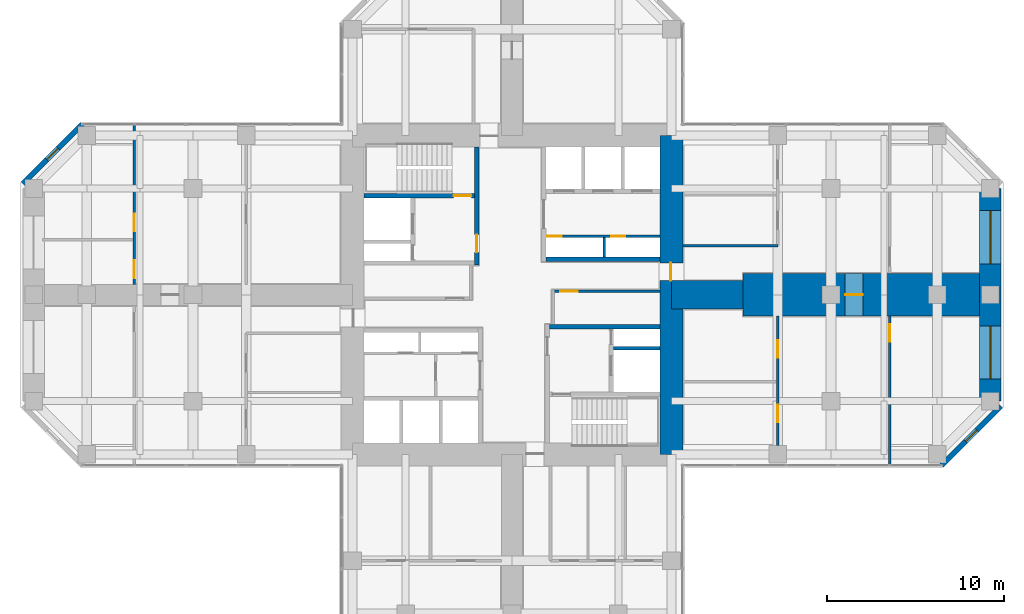
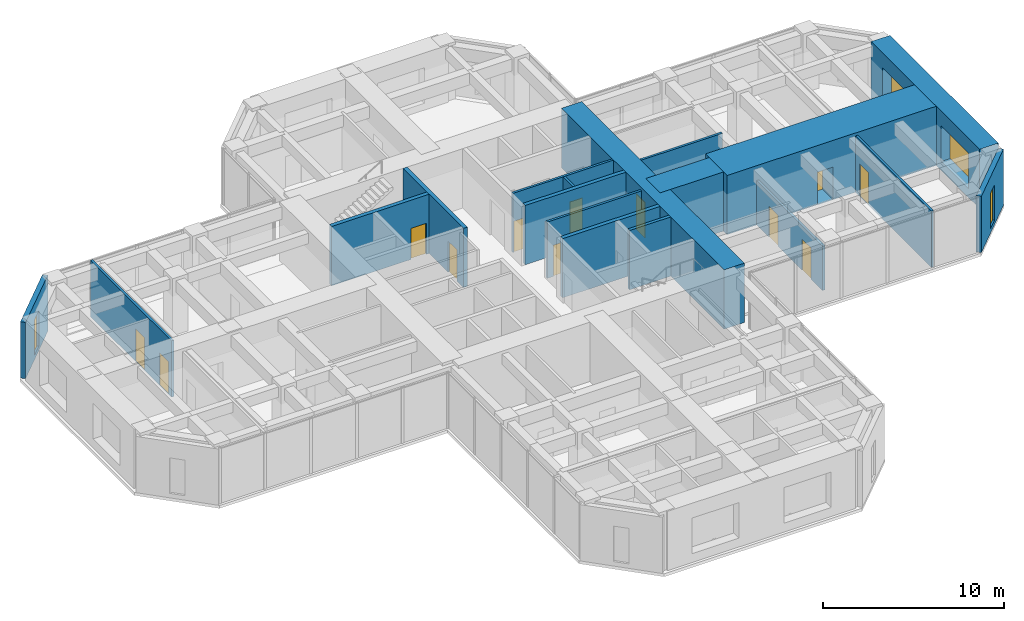
# One storey, part 10 of 13: 18 walls, 12 doors, 4 windows, 16 openings.
"""IFC4 building model written with IfcOpenShell, lengths in metres."""

from ifc_helpers import new_model, si_unit, direction, frame, frame_2d, origin, place, context, subcontext, project, spatial, rectangle, hollow_rectangle, extrude, material, layer, layer_set, constituent, constituent_set, type_object, element, fill, save


model = new_model("IFC4")

# Units and contexts
model_context = context("Model", 3, precision=1e-05, world=origin(), true_north=direction((0.0, 1.0)))
body_context = subcontext(model_context, "Body", "Model", "MODEL_VIEW")
ifc_project = project(units=[si_unit("LENGTHUNIT", "METRE"), si_unit("AREAUNIT", "SQUARE_METRE"), si_unit("VOLUMEUNIT", "CUBIC_METRE"), si_unit("PLANEANGLEUNIT", "RADIAN"), si_unit("MASSUNIT", "GRAM", prefix="KILO")], contexts=[model_context])

# Site, building, storey
site_placement = place(None, origin())
site = spatial("IfcSite", under=ifc_project, at=site_placement, CompositionType="ELEMENT")
building_placement = place(site_placement, origin())
building = spatial("IfcBuilding", under=site, at=building_placement, Name="Torre Cruceta", CompositionType="ELEMENT")
storey_placement = place(building_placement, frame((0.0, 0.0, 152.5)))
storey = spatial("IfcBuildingStorey", under=building, at=storey_placement, Name="L37", CompositionType="ELEMENT", Elevation=152.5)

# Wall
ifc_material_1 = material(Name="Concrete G60 (fck 60 MPa)", Category="concrete")
ifc_layer_1 = layer(ifc_material_1, 0.25)
ifc_layer_set_1 = layer_set([ifc_layer_1], Name="Concrete G60 (fck 60 MPa)")
wall_type_1 = type_object("IfcWallType", Name="CORE INNER WALL 250 G60", PredefinedType="SHEAR", material=ifc_layer_set_1)
wall_1_placement = place(storey_placement, frame((1.925048828125, 2.0, 0.0), z_axis=(0.0, 0.0, 1.0), x_axis=(1.0, 0.0, 0.0)))
element("IfcWall", 1, at=wall_1_placement, inside=storey, type_object=wall_type_1, Name="CW4 L37 NE-CV", PredefinedType="SHEAR", context=body_context, shape_type="SweptSolid", body=[
    extrude(rectangle(XDim=6.425048828125, YDim=0.25, at=frame_2d((3.21240234375, 0.0))), origin(), (0.0, 0.0, 1.0), 4.0),
])

# Wall, opening, door
wall_2_placement = place(storey_placement, frame((-2.0, 1.675048828125, 0.0), z_axis=(0.0, 0.0, 1.0), x_axis=(0.0, 1.0, 0.0)))
wall_2 = element("IfcWall", 2, at=wall_2_placement, inside=storey, type_object=wall_type_1, Name="CW4 L37 NW-CU", PredefinedType="SHEAR", context=body_context, shape_type="SweptSolid", body=[
    extrude(rectangle(XDim=6.675048828125, YDim=0.25, at=frame_2d((3.33740234375, 0.0))), origin(), (0.0, 0.0, 1.0), 4.0),
])
opening_1_placement = place(wall_2_placement, frame((0.72509765625, 0.0, 0.0)))
opening_1 = element("IfcOpeningElement", 3, at=opening_1_placement, cuts=wall_2, Name="Opening D3", PredefinedType="OPENING", context=body_context, shape_type="SweptSolid", body=[
    extrude(rectangle(XDim=1.0, YDim=2.10009765625, at=frame_2d((0.5, 1.050048828125))), frame((0.0, 0.135009765625, 0.0), z_axis=(0.0, -1.0, 0.0), x_axis=(1.0, 0.0, 0.0)), (0.0, 0.0, 1.0), 0.27001953125),
])
ifc_material_2 = material(Name="Steel DX51D", Category="steel")
ifc_constituent_1 = constituent(ifc_material_2, Name="Leaf and frame")
ifc_material_3 = material(Name="Polyester powder coating", Category="paint")
ifc_constituent_2 = constituent(ifc_material_3, Name="Finish")
ifc_constituent_set_1 = constituent_set(constituents=[ifc_constituent_1, ifc_constituent_2], Name="Steel fire door")
door_type_1 = type_object("IfcDoorType", Name="FIRE DOOR 1000X2100", OperationType="SINGLE_SWING_LEFT", PredefinedType="DOOR", material=ifc_constituent_set_1)
door_1_placement = place(opening_1_placement, origin())
door_1 = element("IfcDoor", 4, at=door_1_placement, inside=storey, type_object=door_type_1, Name="D3 L37 NW-LOBBY", OperationType="SINGLE_SWING_LEFT", OverallHeight=2.10009765625, OverallWidth=1.0, PredefinedType="DOOR", context=body_context, shape_type="SweptSolid", body=[
    extrude(rectangle(XDim=1.0, YDim=2.10009765625, at=frame_2d((0.5, 1.050048828125))), frame((0.0, 0.02490234375, 0.0), z_axis=(0.0, -1.0, 0.0), x_axis=(1.0, 0.0, 0.0)), (0.0, 0.0, 1.0), 0.050048828125),
])
fill(opening_1, door_1)

wall_3_placement = place(storey_placement, frame((-2.125, 5.60009765625, 0.0), z_axis=(0.0, 0.0, 1.0), x_axis=(-1.0, 0.0, 0.0)))
wall_3 = element("IfcWall", 5, at=wall_3_placement, inside=storey, type_object=wall_type_1, Name="CW4 L37 NW-SV", PredefinedType="SHEAR", context=body_context, shape_type="SweptSolid", body=[
    extrude(rectangle(XDim=6.22509765625, YDim=0.25, at=frame_2d((3.112548828125, 0.0))), origin(), (0.0, 0.0, 1.0), 4.0),
])
opening_2_placement = place(wall_3_placement, frame((0.175048828125, 0.0, 0.0)))
opening_2 = element("IfcOpeningElement", 6, at=opening_2_placement, cuts=wall_3, Name="Opening D3", PredefinedType="OPENING", context=body_context, shape_type="SweptSolid", body=[
    extrude(rectangle(XDim=1.0, YDim=2.10009765625, at=frame_2d((0.5, 1.050048828125))), frame((0.0, 0.135009765625, 0.0), z_axis=(0.0, -1.0, 0.0), x_axis=(1.0, 0.0, 0.0)), (0.0, 0.0, 1.0), 0.27001953125),
])
door_2_placement = place(opening_2_placement, frame((1.0, 0.0, 0.0), z_axis=(0.0, 0.0, 1.0), x_axis=(-1.0, 0.0, 0.0)))
door_2 = element("IfcDoor", 7, at=door_2_placement, inside=storey, type_object=door_type_1, Name="D3 L37 NW-STAIR", OperationType="SINGLE_SWING_RIGHT", OverallHeight=2.10009765625, OverallWidth=1.0, PredefinedType="DOOR", context=body_context, shape_type="SweptSolid", body=[
    extrude(rectangle(XDim=1.0, YDim=2.10009765625, at=frame_2d((0.5, 1.050048828125))), frame((0.0, 0.025146484375, 0.0), z_axis=(0.0, -1.0, 0.0), x_axis=(1.0, 0.0, 0.0)), (0.0, 0.0, 1.0), 0.050048828125),
])
fill(opening_2, door_2)

# Wall
wall_4_placement = place(storey_placement, frame((2.125, -1.800048828125, 0.0), z_axis=(0.0, 0.0, 1.0), x_axis=(1.0, 0.0, 0.0)))
element("IfcWall", 8, at=wall_4_placement, inside=storey, type_object=wall_type_1, Name="CW4 L37 SE-CV", PredefinedType="SHEAR", context=body_context, shape_type="SweptSolid", body=[
    extrude(rectangle(XDim=6.22509765625, YDim=0.25, at=frame_2d((3.112548828125, 0.0))), origin(), (0.0, 0.0, 1.0), 4.0),
])

# Wall, opening, door
ifc_material_4 = material(Name="Concrete G60 (fck 60 MPa)", Category="concrete")
ifc_layer_2 = layer(ifc_material_4, 1.300048828125)
ifc_layer_set_2 = layer_set([ifc_layer_2], Name="Concrete G60 (fck 60 MPa)")
wall_type_2 = type_object("IfcWallType", Name="CORE WALL 1300 G60", PredefinedType="SHEAR", material=ifc_layer_set_2)
wall_5_placement = place(storey_placement, frame((9.0, -9.0, 0.0), z_axis=(0.0, 0.0, 1.0), x_axis=(0.0, 1.0, 0.0)))
wall_5 = element("IfcWall", 9, at=wall_5_placement, inside=storey, type_object=wall_type_2, Name="CW1 L37 CW-E", PredefinedType="SHEAR", context=body_context, shape_type="SweptSolid", body=[
    extrude(rectangle(XDim=18.0, YDim=1.300048828125, at=frame_2d((9.0, 0.0))), origin(), (0.0, 0.0, 1.0), 4.0),
])
opening_3_placement = place(wall_5_placement, frame((9.800048828125, 0.0, 0.0)))
opening_3 = element("IfcOpeningElement", 10, at=opening_3_placement, cuts=wall_5, Name="Opening D4", PredefinedType="OPENING", context=body_context, shape_type="SweptSolid", body=[
    extrude(rectangle(XDim=1.0, YDim=2.39990234375, at=frame_2d((0.5, 1.199951171875))), frame((0.0, 0.659912109375, 0.0), z_axis=(0.0, -1.0, 0.0), x_axis=(1.0, 0.0, 0.0)), (0.0, 0.0, 1.0), 1.320068359375),
])
ifc_material_5 = material(Name="Steel DX51D", Category="steel")
ifc_constituent_3 = constituent(ifc_material_5, Name="Leaf and frame")
ifc_material_6 = material(Name="Polyester powder coating", Category="paint")
ifc_constituent_4 = constituent(ifc_material_6, Name="Finish")
ifc_constituent_set_2 = constituent_set(constituents=[ifc_constituent_3, ifc_constituent_4], Name="Steel fire door")
door_type_2 = type_object("IfcDoorType", Name="CORE ARM DOOR 1000X2400", OperationType="SINGLE_SWING_RIGHT", PredefinedType="DOOR", material=ifc_constituent_set_2)
door_3_placement = place(opening_3_placement, frame((1.0, 0.0, 0.0), z_axis=(0.0, 0.0, 1.0), x_axis=(-1.0, 0.0, 0.0)))
door_3 = element("IfcDoor", 11, at=door_3_placement, inside=storey, type_object=door_type_2, Name="D4 L37 CW-E", OperationType="SINGLE_SWING_RIGHT", OverallHeight=2.39990234375, OverallWidth=1.0, PredefinedType="DOOR", context=body_context, shape_type="SweptSolid", body=[
    extrude(rectangle(XDim=1.0, YDim=2.39990234375, at=frame_2d((0.5, 1.199951171875))), frame((0.0, -0.005126953125, 0.0), z_axis=(0.0, -1.0, 0.0), x_axis=(1.0, 0.0, 0.0)), (0.0, 0.0, 1.0), 0.050048828125),
])
fill(opening_3, door_3)

# Wall, opening, window
ifc_material_7 = material(Name="Concrete G30 (fck 30 MPa)", Category="concrete")
ifc_layer_3 = layer(ifc_material_7, 0.300048828125)
ifc_layer_set_3 = layer_set([ifc_layer_3], Name="Concrete G30 (fck 30 MPa)")
wall_type_3 = type_object("IfcWallType", Name="EXPOSED CONCRETE FACADE WALL 300", PredefinedType="SOLIDWALL", material=ifc_layer_set_3)
wall_6_placement = place(storey_placement, frame((24.2568359375, -9.6201171875, 0.0), z_axis=(0.0, 0.0, 1.0), x_axis=(0.707106781187, 0.707106781187, 0.0)))
wall_6 = element("IfcWall", 12, at=wall_6_placement, inside=storey, type_object=wall_type_3, Name="EW1 facade wall L37 E chamfer 01", PredefinedType="SOLIDWALL", context=body_context, shape_type="SweptSolid", body=[
    extrude(rectangle(XDim=4.72802734375, YDim=0.300048828125, at=frame_2d((2.364013671875, 0.0))), origin(), (0.0, 0.0, 1.0), 3.800048828125),
])
opening_4_placement = place(wall_6_placement, frame((1.9140625, 0.0, 0.300048828125)))
opening_4 = element("IfcOpeningElement", 13, at=opening_4_placement, cuts=wall_6, Name="Opening WN5", PredefinedType="OPENING", context=body_context, shape_type="SweptSolid", body=[
    extrude(rectangle(XDim=0.89990234375, YDim=2.39990234375, at=frame_2d((0.449951171875, 1.199951171875))), frame((0.0, 0.159912109375, 0.0), z_axis=(0.0, -1.0, 0.0), x_axis=(1.0, 0.0, 0.0)), (0.0, 0.0, 1.0), 0.320068359375),
])
ifc_material_8 = material(Name="Aluminium window frame", Category="aluminium")
ifc_constituent_5 = constituent(ifc_material_8, Name="Frame")
ifc_material_9 = material(Name="Laminated insulating glass unit, low-iron clear", Category="glass")
ifc_constituent_6 = constituent(ifc_material_9, Name="Glazing")
ifc_constituent_set_3 = constituent_set(constituents=[ifc_constituent_5, ifc_constituent_6], Name="Aluminium window")
window_type_1 = type_object("IfcWindowType", Name="CHAMFER SLOT WINDOW 900X2400", PartitioningType="SINGLE_PANEL", PredefinedType="WINDOW", material=ifc_constituent_set_3)
window_1_placement = place(opening_4_placement, origin())
window_1 = element("IfcWindow", 14, at=window_1_placement, inside=storey, type_object=window_type_1, Name="WN5 L37 E 1", OverallHeight=2.39990234375, OverallWidth=0.89990234375, PartitioningType="SINGLE_PANEL", PredefinedType="WINDOW", context=body_context, shape_type="SweptSolid", body=[
    extrude(hollow_rectangle(XDim=0.89990234375, YDim=2.39990234375, WallThickness=0.06005859375, at=frame_2d((0.449951171875, 1.199951171875))), frame((0.0, 0.030029296875, 0.0), z_axis=(0.0, -1.0, 0.0), x_axis=(1.0, 0.0, 0.0)), (0.0, 0.0, 1.0), 0.06005859375),
    extrude(rectangle(XDim=0.77880859375, YDim=2.27880859375, at=frame_2d((0.449951171875, 1.199951171875))), frame((0.0, 0.030029296875, 0.0), z_axis=(0.0, -1.0, 0.0), x_axis=(1.0, 0.0, 0.0)), (0.0, 0.0, 1.0), 0.06005859375),
])
fill(opening_4, window_1)

wall_7_placement = place(storey_placement, frame((-24.2568359375, 9.6201171875, 0.0), z_axis=(0.0, 0.0, 1.0), x_axis=(-0.707106781187, -0.707106781187, 0.0)))
wall_7 = element("IfcWall", 15, at=wall_7_placement, inside=storey, type_object=wall_type_3, Name="EW1 facade wall L37 W chamfer 11", PredefinedType="SOLIDWALL", context=body_context, shape_type="SweptSolid", body=[
    extrude(rectangle(XDim=4.72802734375, YDim=0.300048828125, at=frame_2d((2.364013671875, 0.0))), origin(), (0.0, 0.0, 1.0), 3.800048828125),
])
opening_5_placement = place(wall_7_placement, frame((1.9140625, 0.0, 0.300048828125)))
opening_5 = element("IfcOpeningElement", 16, at=opening_5_placement, cuts=wall_7, Name="Opening WN5", PredefinedType="OPENING", context=body_context, shape_type="SweptSolid", body=[
    extrude(rectangle(XDim=0.89990234375, YDim=2.39990234375, at=frame_2d((0.449951171875, 1.199951171875))), frame((0.0, 0.159912109375, 0.0), z_axis=(0.0, -1.0, 0.0), x_axis=(1.0, 0.0, 0.0)), (0.0, 0.0, 1.0), 0.320068359375),
])
window_2_placement = place(opening_5_placement, origin())
window_2 = element("IfcWindow", 17, at=window_2_placement, inside=storey, type_object=window_type_1, Name="WN5 L37 W 1", OverallHeight=2.39990234375, OverallWidth=0.89990234375, PartitioningType="SINGLE_PANEL", PredefinedType="WINDOW", context=body_context, shape_type="SweptSolid", body=[
    extrude(hollow_rectangle(XDim=0.89990234375, YDim=2.39990234375, WallThickness=0.06005859375, at=frame_2d((0.449951171875, 1.199951171875))), frame((0.0, 0.030029296875, 0.0), z_axis=(0.0, -1.0, 0.0), x_axis=(1.0, 0.0, 0.0)), (0.0, 0.0, 1.0), 0.06005859375),
    extrude(rectangle(XDim=0.77880859375, YDim=2.27880859375, at=frame_2d((0.449951171875, 1.199951171875))), frame((0.0, 0.030029296875, 0.0), z_axis=(0.0, -1.0, 0.0), x_axis=(1.0, 0.0, 0.0)), (0.0, 0.0, 1.0), 0.06005859375),
])
fill(opening_5, window_2)

# Wall
ifc_material_10 = material(Name="Concrete G35 (fck 35 MPa)", Category="concrete")
ifc_layer_4 = layer(ifc_material_10, 0.199951171875)
ifc_layer_set_4 = layer_set([ifc_layer_4], Name="Concrete G35 (fck 35 MPa)")
wall_type_4 = type_object("IfcWallType", Name="LIFT SHAFT WALL 200", PredefinedType="PARTITIONING", material=ifc_layer_set_4)
wall_8_placement = place(storey_placement, frame((5.72509765625, -3.0, 0.0), z_axis=(0.0, 0.0, 1.0), x_axis=(1.0, 0.0, 0.0)))
element("IfcWall", 18, at=wall_8_placement, inside=storey, type_object=wall_type_4, Name="SW1 L37 SE-FR", PredefinedType="PARTITIONING", context=body_context, shape_type="SweptSolid", body=[
    extrude(rectangle(XDim=2.625, YDim=0.199951171875, at=frame_2d((1.3125, 0.0))), origin(), (0.0, 0.0, 1.0), 4.0),
])

# Wall, openings, windows
ifc_material_11 = material(Name="Concrete G60 (fck 60 MPa)", Category="concrete")
ifc_layer_5 = layer(ifc_material_11, 1.199951171875)
ifc_layer_set_5 = layer_set([ifc_layer_5], Name="Concrete G60 (fck 60 MPa)")
wall_type_5 = type_object("IfcWallType", Name="NOSE WALL 1200 G60", PredefinedType="SHEAR", material=ifc_layer_set_5)
wall_9_placement = place(storey_placement, frame((27.0, -6.0, 0.0), z_axis=(0.0, 0.0, 1.0), x_axis=(0.0, 1.0, 0.0)))
wall_9 = element("IfcWall", 19, at=wall_9_placement, inside=storey, type_object=wall_type_5, Name="NW1 nose wall L37 E", PredefinedType="SHEAR", context=body_context, shape_type="SweptSolid", body=[
    extrude(rectangle(XDim=12.0, YDim=1.199951171875, at=frame_2d((6.0, 0.0))), origin(), (0.0, 0.0, 1.0), 4.0),
])
opening_6_placement = place(wall_9_placement, frame((1.25, 0.0, 0.60009765625)))
opening_6 = element("IfcOpeningElement", 20, at=opening_6_placement, cuts=wall_9, Name="Opening WN6", PredefinedType="OPENING", context=body_context, shape_type="SweptSolid", body=[
    extrude(rectangle(XDim=3.0, YDim=2.39990234375, at=frame_2d((1.5, 1.199951171875))), frame((0.0, 0.60986328125, 0.0), z_axis=(0.0, -1.0, 0.0), x_axis=(1.0, 0.0, 0.0)), (0.0, 0.0, 1.0), 1.219970703125),
])
opening_7_placement = place(wall_9_placement, frame((7.75, 0.0, 0.60009765625)))
opening_7 = element("IfcOpeningElement", 21, at=opening_7_placement, cuts=wall_9, Name="Opening WN6", PredefinedType="OPENING", context=body_context, shape_type="SweptSolid", body=[
    extrude(rectangle(XDim=3.0, YDim=2.39990234375, at=frame_2d((1.5, 1.199951171875))), frame((0.0, 0.60986328125, 0.0), z_axis=(0.0, -1.0, 0.0), x_axis=(1.0, 0.0, 0.0)), (0.0, 0.0, 1.0), 1.219970703125),
])
ifc_material_12 = material(Name="Aluminium window frame", Category="aluminium")
ifc_constituent_7 = constituent(ifc_material_12, Name="Frame")
ifc_material_13 = material(Name="Laminated insulating glass unit, low-iron clear", Category="glass")
ifc_constituent_8 = constituent(ifc_material_13, Name="Glazing")
ifc_constituent_set_4 = constituent_set(constituents=[ifc_constituent_7, ifc_constituent_8], Name="Aluminium window")
window_type_2 = type_object("IfcWindowType", Name="NOSE WALL WINDOW 3000X2400", PartitioningType="SINGLE_PANEL", PredefinedType="WINDOW", material=ifc_constituent_set_4)
window_3_placement = place(opening_6_placement, origin())
window_3 = element("IfcWindow", 22, at=window_3_placement, inside=storey, type_object=window_type_2, Name="WN6 L37 E 1", OverallHeight=2.39990234375, OverallWidth=3.0, PartitioningType="SINGLE_PANEL", PredefinedType="WINDOW", context=body_context, shape_type="SweptSolid", body=[
    extrude(hollow_rectangle(XDim=3.0, YDim=2.39990234375, WallThickness=0.06005859375, at=frame_2d((1.5, 1.199951171875))), frame((0.0, 0.030029296875, 0.0), z_axis=(0.0, -1.0, 0.0), x_axis=(1.0, 0.0, 0.0)), (0.0, 0.0, 1.0), 0.06005859375),
    extrude(rectangle(XDim=2.87890625, YDim=2.27880859375, at=frame_2d((1.5, 1.199951171875))), frame((0.0, 0.030029296875, 0.0), z_axis=(0.0, -1.0, 0.0), x_axis=(1.0, 0.0, 0.0)), (0.0, 0.0, 1.0), 0.06005859375),
])
fill(opening_6, window_3)
window_4_placement = place(opening_7_placement, origin())
window_4 = element("IfcWindow", 23, at=window_4_placement, inside=storey, type_object=window_type_2, Name="WN6 L37 E 2", OverallHeight=2.39990234375, OverallWidth=3.0, PartitioningType="SINGLE_PANEL", PredefinedType="WINDOW", context=body_context, shape_type="SweptSolid", body=[
    extrude(hollow_rectangle(XDim=3.0, YDim=2.39990234375, WallThickness=0.06005859375, at=frame_2d((1.5, 1.199951171875))), frame((0.0, 0.030029296875, 0.0), z_axis=(0.0, -1.0, 0.0), x_axis=(1.0, 0.0, 0.0)), (0.0, 0.0, 1.0), 0.06005859375),
    extrude(rectangle(XDim=2.87890625, YDim=2.27880859375, at=frame_2d((1.5, 1.199951171875))), frame((0.0, 0.030029296875, 0.0), z_axis=(0.0, -1.0, 0.0), x_axis=(1.0, 0.0, 0.0)), (0.0, 0.0, 1.0), 0.06005859375),
])
fill(opening_7, window_4)

# Wall, opening, door
ifc_material_14 = material(Name="Plasterboard on steel studs", Category="steel")
ifc_layer_6 = layer(ifc_material_14, 0.14990234375)
ifc_layer_set_6 = layer_set([ifc_layer_6], Name="Plasterboard on steel studs")
wall_type_6 = type_object("IfcWallType", Name="PARTITION 150", PredefinedType="PARTITIONING", material=ifc_layer_set_6)
wall_10_placement = place(storey_placement, frame((2.324951171875, 0.199951171875, 0.0), z_axis=(0.0, 0.0, 1.0), x_axis=(1.0, 0.0, 0.0)))
wall_10 = element("IfcWall", 24, at=wall_10_placement, inside=storey, type_object=wall_type_6, Name="PT1 L37-CORE-LEGE-S-W1", PredefinedType="PARTITIONING", context=body_context, shape_type="SweptSolid", body=[
    extrude(rectangle(XDim=6.025146484375, YDim=0.14990234375, at=frame_2d((3.0126953125, 0.0))), origin(), (0.0, 0.0, 1.0), 3.800048828125),
])
opening_8_placement = place(wall_10_placement, frame((0.39990234375, 0.0, 0.0)))
opening_8 = element("IfcOpeningElement", 25, at=opening_8_placement, cuts=wall_10, Name="Opening D3", PredefinedType="OPENING", context=body_context, shape_type="SweptSolid", body=[
    extrude(rectangle(XDim=1.0, YDim=2.10009765625, at=frame_2d((0.5, 1.050048828125))), frame((0.0, 0.0849609375, 0.0), z_axis=(0.0, -1.0, 0.0), x_axis=(1.0, 0.0, 0.0)), (0.0, 0.0, 1.0), 0.169921875),
])
door_4_placement = place(opening_8_placement, frame((1.0, 0.0, 0.0), z_axis=(0.0, 0.0, 1.0), x_axis=(-1.0, 0.0, 0.0)))
door_4 = element("IfcDoor", 26, at=door_4_placement, inside=storey, type_object=door_type_1, Name="D3 L37-CORE-LEGE-S-W1-D1", OperationType="SINGLE_SWING_RIGHT", OverallHeight=2.10009765625, OverallWidth=1.0, PredefinedType="DOOR", context=body_context, shape_type="SweptSolid", body=[
    extrude(rectangle(XDim=1.0, YDim=2.10009765625, at=frame_2d((0.5, 1.050048828125))), frame((0.0, 0.025146484375, 0.0), z_axis=(0.0, -1.0, 0.0), x_axis=(1.0, 0.0, 0.0)), (0.0, 0.0, 1.0), 0.050048828125),
])
fill(opening_8, door_4)

# Wall
wall_11_placement = place(storey_placement, frame((9.64990234375, 2.77490234375, 0.0), z_axis=(0.0, 0.0, 1.0), x_axis=(1.0, 0.0, 0.0)))
element("IfcWall", 27, at=wall_11_placement, inside=storey, type_object=wall_type_6, Name="PT1 L37-E-BSL", PredefinedType="PARTITIONING", context=body_context, shape_type="SweptSolid", body=[
    extrude(rectangle(XDim=5.35009765625, YDim=0.14990234375, at=frame_2d((2.675048828125, 0.0))), origin(), (0.0, 0.0, 1.0), 3.800048828125),
])

# Wall, openings, doors
wall_12_placement = place(storey_placement, frame((15.0, -8.5, 0.0), z_axis=(0.0, 0.0, 1.0), x_axis=(0.0, 1.0, 0.0)))
wall_12 = element("IfcWall", 28, at=wall_12_placement, inside=storey, type_object=wall_type_6, Name="PT1 L37-E-BFR", PredefinedType="PARTITIONING", context=body_context, shape_type="SweptSolid", body=[
    extrude(rectangle(XDim=7.300048828125, YDim=0.14990234375, at=frame_2d((3.64990234375, 0.0))), origin(), (0.0, 0.0, 1.0), 3.0),
])
opening_9_placement = place(wall_12_placement, frame((1.300048828125, 0.0, 0.0)))
opening_9 = element("IfcOpeningElement", 29, at=opening_9_placement, cuts=wall_12, Name="Opening D3", PredefinedType="OPENING", context=body_context, shape_type="SweptSolid", body=[
    extrude(rectangle(XDim=1.0, YDim=2.10009765625, at=frame_2d((0.5, 1.050048828125))), frame((0.0, 0.0849609375, 0.0), z_axis=(0.0, -1.0, 0.0), x_axis=(1.0, 0.0, 0.0)), (0.0, 0.0, 1.0), 0.169921875),
])
opening_10_placement = place(wall_12_placement, frame((4.949951171875, 0.0, 0.0)))
opening_10 = element("IfcOpeningElement", 30, at=opening_10_placement, cuts=wall_12, Name="Opening D3", PredefinedType="OPENING", context=body_context, shape_type="SweptSolid", body=[
    extrude(rectangle(XDim=1.0, YDim=2.10009765625, at=frame_2d((0.5, 1.050048828125))), frame((0.0, 0.0849609375, 0.0), z_axis=(0.0, -1.0, 0.0), x_axis=(1.0, 0.0, 0.0)), (0.0, 0.0, 1.0), 0.169921875),
])
door_5_placement = place(opening_9_placement, origin())
door_5 = element("IfcDoor", 31, at=door_5_placement, inside=storey, type_object=door_type_1, Name="D3 L37-E-BFR-D1", OperationType="SINGLE_SWING_RIGHT", OverallHeight=2.10009765625, OverallWidth=1.0, PredefinedType="DOOR", context=body_context, shape_type="SweptSolid", body=[
    extrude(rectangle(XDim=1.0, YDim=2.10009765625, at=frame_2d((0.5, 1.050048828125))), frame((0.0, 0.02490234375, 0.0), z_axis=(0.0, -1.0, 0.0), x_axis=(1.0, 0.0, 0.0)), (0.0, 0.0, 1.0), 0.050048828125),
])
fill(opening_9, door_5)
door_6_placement = place(opening_10_placement, origin())
door_6 = element("IfcDoor", 32, at=door_6_placement, inside=storey, type_object=door_type_1, Name="D3 L37-E-BFR-D2", OperationType="SINGLE_SWING_LEFT", OverallHeight=2.10009765625, OverallWidth=1.0, PredefinedType="DOOR", context=body_context, shape_type="SweptSolid", body=[
    extrude(rectangle(XDim=1.0, YDim=2.10009765625, at=frame_2d((0.5, 1.050048828125))), frame((0.0, 0.02490234375, 0.0), z_axis=(0.0, -1.0, 0.0), x_axis=(1.0, 0.0, 0.0)), (0.0, 0.0, 1.0), 0.050048828125),
])
fill(opening_10, door_6)

# Wall, opening, door
wall_13_placement = place(storey_placement, frame((21.320068359375, -9.580078125, 0.0), z_axis=(0.0, 0.0, 1.0), x_axis=(0.0, 1.0, 0.0)))
wall_13 = element("IfcWall", 33, at=wall_13_placement, inside=storey, type_object=wall_type_6, Name="PT1 L37-E-TWR", PredefinedType="PARTITIONING", context=body_context, shape_type="SweptSolid", body=[
    extrude(rectangle(XDim=8.380126953125, YDim=0.14990234375, at=frame_2d((4.18994140625, 0.0))), origin(), (0.0, 0.0, 1.0), 3.800048828125),
])
opening_11_placement = place(wall_13_placement, frame((6.929931640625, 0.0, 0.0)))
opening_11 = element("IfcOpeningElement", 34, at=opening_11_placement, cuts=wall_13, Name="Opening D14", PredefinedType="OPENING", context=body_context, shape_type="SweptSolid", body=[
    extrude(rectangle(XDim=1.0, YDim=2.199951171875, at=frame_2d((0.5, 1.10009765625))), frame((0.0, 0.0849609375, 0.0), z_axis=(0.0, -1.0, 0.0), x_axis=(1.0, 0.0, 0.0)), (0.0, 0.0, 1.0), 0.169921875),
])
ifc_material_15 = material(Name="Steel DX51D", Category="steel")
ifc_constituent_9 = constituent(ifc_material_15, Name="Leaf and frame")
ifc_material_16 = material(Name="Polyester powder coating", Category="paint")
ifc_constituent_10 = constituent(ifc_material_16, Name="Finish")
ifc_material_17 = material(Name="Fire-resisting glass", Category="glass")
ifc_constituent_11 = constituent(ifc_material_17, Name="Vision panel")
ifc_constituent_set_5 = constituent_set(constituents=[ifc_constituent_9, ifc_constituent_10, ifc_constituent_11], Name="Steel fire door with vision panel")
door_type_3 = type_object("IfcDoorType", Name="FIRE DOOR VISION PANEL 1000X2200", OperationType="SINGLE_SWING_RIGHT", PredefinedType="DOOR", material=ifc_constituent_set_5)
door_7_placement = place(opening_11_placement, frame((1.0, 0.0, 0.0), z_axis=(0.0, 0.0, 1.0), x_axis=(-1.0, 0.0, 0.0)))
door_7 = element("IfcDoor", 35, at=door_7_placement, inside=storey, type_object=door_type_3, Name="D14 L37-E-TWR-D1", OperationType="SINGLE_SWING_LEFT", OverallHeight=2.199951171875, OverallWidth=1.0, PredefinedType="DOOR", context=body_context, shape_type="SweptSolid", body=[
    extrude(rectangle(XDim=1.0, YDim=2.199951171875, at=frame_2d((0.5, 1.10009765625))), frame((0.0, 0.025146484375, 0.0), z_axis=(0.0, -1.0, 0.0), x_axis=(1.0, 0.0, 0.0)), (0.0, 0.0, 1.0), 0.050048828125),
])
fill(opening_11, door_7)

# Wall, openings, doors
wall_14_placement = place(storey_placement, frame((-21.320068359375, 9.580078125, 0.0), z_axis=(0.0, 0.0, 1.0), x_axis=(0.0, -1.0, 0.0)))
wall_14 = element("IfcWall", 36, at=wall_14_placement, inside=storey, type_object=wall_type_6, Name="PT1 L37-W-TWR", PredefinedType="PARTITIONING", context=body_context, shape_type="SweptSolid", body=[
    extrude(rectangle(XDim=8.97998046875, YDim=0.14990234375, at=frame_2d((4.489990234375, 0.0))), origin(), (0.0, 0.0, 1.0), 3.800048828125),
])
opening_12_placement = place(wall_14_placement, frame((4.987060546875, 0.0, 0.0)))
opening_12 = element("IfcOpeningElement", 37, at=opening_12_placement, cuts=wall_14, Name="Opening D14", PredefinedType="OPENING", context=body_context, shape_type="SweptSolid", body=[
    extrude(rectangle(XDim=1.0, YDim=2.199951171875, at=frame_2d((0.5, 1.10009765625))), frame((0.0, 0.0849609375, 0.0), z_axis=(0.0, -1.0, 0.0), x_axis=(1.0, 0.0, 0.0)), (0.0, 0.0, 1.0), 0.169921875),
])
opening_13_placement = place(wall_14_placement, frame((7.6298828125, 0.0, 0.0)))
opening_13 = element("IfcOpeningElement", 38, at=opening_13_placement, cuts=wall_14, Name="Opening D14", PredefinedType="OPENING", context=body_context, shape_type="SweptSolid", body=[
    extrude(rectangle(XDim=1.0, YDim=2.199951171875, at=frame_2d((0.5, 1.10009765625))), frame((0.0, 0.0849609375, 0.0), z_axis=(0.0, -1.0, 0.0), x_axis=(1.0, 0.0, 0.0)), (0.0, 0.0, 1.0), 0.169921875),
])
door_8_placement = place(opening_12_placement, frame((1.0, 0.0, 0.0), z_axis=(0.0, 0.0, 1.0), x_axis=(-1.0, 0.0, 0.0)))
door_8 = element("IfcDoor", 39, at=door_8_placement, inside=storey, type_object=door_type_3, Name="D14 L37-W-TWR-D1", OperationType="SINGLE_SWING_LEFT", OverallHeight=2.199951171875, OverallWidth=1.0, PredefinedType="DOOR", context=body_context, shape_type="SweptSolid", body=[
    extrude(rectangle(XDim=1.0, YDim=2.199951171875, at=frame_2d((0.5, 1.10009765625))), frame((0.0, 0.025146484375, 0.0), z_axis=(0.0, -1.0, 0.0), x_axis=(1.0, 0.0, 0.0)), (0.0, 0.0, 1.0), 0.050048828125),
])
fill(opening_12, door_8)
door_9_placement = place(opening_13_placement, frame((1.0, 0.0, 0.0), z_axis=(0.0, 0.0, 1.0), x_axis=(-1.0, 0.0, 0.0)))
door_9 = element("IfcDoor", 40, at=door_9_placement, inside=storey, type_object=door_type_3, Name="D14 L37-W-TWR-D2", OperationType="SINGLE_SWING_LEFT", OverallHeight=2.199951171875, OverallWidth=1.0, PredefinedType="DOOR", context=body_context, shape_type="SweptSolid", body=[
    extrude(rectangle(XDim=1.0, YDim=2.199951171875, at=frame_2d((0.5, 1.10009765625))), frame((0.0, 0.025146484375, 0.0), z_axis=(0.0, -1.0, 0.0), x_axis=(1.0, 0.0, 0.0)), (0.0, 0.0, 1.0), 0.050048828125),
])
fill(opening_13, door_9)

ifc_material_18 = material(Name="Concrete block masonry", Category="masonry")
ifc_layer_7 = layer(ifc_material_18, 0.14990234375)
ifc_layer_set_7 = layer_set([ifc_layer_7], Name="Concrete block masonry")
wall_type_7 = type_object("IfcWallType", Name="RISER WALL 150", PredefinedType="PARTITIONING", material=ifc_layer_set_7)
wall_15_placement = place(storey_placement, frame((1.925048828125, 3.300048828125, 0.0), z_axis=(0.0, 0.0, 1.0), x_axis=(1.0, 0.0, 0.0)))
wall_15 = element("IfcWall", 41, at=wall_15_placement, inside=storey, type_object=wall_type_7, Name="SW7 L37 NE-RV", PredefinedType="PARTITIONING", context=body_context, shape_type="SweptSolid", body=[
    extrude(rectangle(XDim=6.425048828125, YDim=0.14990234375, at=frame_2d((3.21240234375, 0.0))), origin(), (0.0, 0.0, 1.0), 4.0),
])
opening_14_placement = place(wall_15_placement, frame((0.074951171875, 0.0, 0.0)))
opening_14 = element("IfcOpeningElement", 42, at=opening_14_placement, cuts=wall_15, Name="Opening D5", PredefinedType="OPENING", context=body_context, shape_type="SweptSolid", body=[
    extrude(rectangle(XDim=0.800048828125, YDim=2.10009765625, at=frame_2d((0.39990234375, 1.050048828125))), frame((0.0, 0.0849609375, 0.0), z_axis=(0.0, -1.0, 0.0), x_axis=(1.0, 0.0, 0.0)), (0.0, 0.0, 1.0), 0.169921875),
])
opening_15_placement = place(wall_15_placement, frame((3.675048828125, 0.0, 0.0)))
opening_15 = element("IfcOpeningElement", 43, at=opening_15_placement, cuts=wall_15, Name="Opening D5", PredefinedType="OPENING", context=body_context, shape_type="SweptSolid", body=[
    extrude(rectangle(XDim=0.800048828125, YDim=2.10009765625, at=frame_2d((0.39990234375, 1.050048828125))), frame((0.0, 0.0849609375, 0.0), z_axis=(0.0, -1.0, 0.0), x_axis=(1.0, 0.0, 0.0)), (0.0, 0.0, 1.0), 0.169921875),
])
ifc_material_19 = material(Name="Steel DX51D", Category="steel")
ifc_constituent_12 = constituent(ifc_material_19, Name="Leaf and frame")
ifc_material_20 = material(Name="Polyester powder coating", Category="paint")
ifc_constituent_13 = constituent(ifc_material_20, Name="Finish")
ifc_constituent_set_6 = constituent_set(constituents=[ifc_constituent_12, ifc_constituent_13], Name="Steel fire door")
door_type_4 = type_object("IfcDoorType", Name="RISER ACCESS DOOR 800X2100", OperationType="SINGLE_SWING_LEFT", PredefinedType="DOOR", material=ifc_constituent_set_6)
door_10_placement = place(opening_14_placement, frame((0.800048828125, 0.0, 0.0), z_axis=(0.0, 0.0, 1.0), x_axis=(-1.0, 0.0, 0.0)))
door_10 = element("IfcDoor", 44, at=door_10_placement, inside=storey, type_object=door_type_4, Name="D5 L37 NE-RISER1", OperationType="SINGLE_SWING_RIGHT", OverallHeight=2.10009765625, OverallWidth=0.800048828125, PredefinedType="DOOR", context=body_context, shape_type="SweptSolid", body=[
    extrude(rectangle(XDim=0.800048828125, YDim=2.10009765625, at=frame_2d((0.400146484375, 1.050048828125))), frame((0.0, 0.025146484375, 0.0), z_axis=(0.0, -1.0, 0.0), x_axis=(1.0, 0.0, 0.0)), (0.0, 0.0, 1.0), 0.050048828125),
])
fill(opening_14, door_10)
door_11_placement = place(opening_15_placement, frame((0.800048828125, 0.0, 0.0), z_axis=(0.0, 0.0, 1.0), x_axis=(-1.0, 0.0, 0.0)))
door_11 = element("IfcDoor", 45, at=door_11_placement, inside=storey, type_object=door_type_4, Name="D5 L37 NE-RISER2", OperationType="SINGLE_SWING_RIGHT", OverallHeight=2.10009765625, OverallWidth=0.800048828125, PredefinedType="DOOR", context=body_context, shape_type="SweptSolid", body=[
    extrude(rectangle(XDim=0.800048828125, YDim=2.10009765625, at=frame_2d((0.400146484375, 1.050048828125))), frame((0.0, 0.025146484375, 0.0), z_axis=(0.0, -1.0, 0.0), x_axis=(1.0, 0.0, 0.0)), (0.0, 0.0, 1.0), 0.050048828125),
])
fill(opening_15, door_11)

# Walls
wall_16_placement = place(storey_placement, frame((5.199951171875, 2.125, 0.0), z_axis=(0.0, 0.0, 1.0), x_axis=(0.0, 1.0, 0.0)))
element("IfcWall", 46, at=wall_16_placement, inside=storey, type_object=wall_type_7, Name="SW7 L37 NE-RU", PredefinedType="PARTITIONING", context=body_context, shape_type="SweptSolid", body=[
    extrude(rectangle(XDim=1.10009765625, YDim=0.14990234375, at=frame_2d((0.550048828125, 0.0))), origin(), (0.0, 0.0, 1.0), 4.0),
])
ifc_material_21 = material(Name="Concrete G60 (fck 60 MPa)", Category="concrete")
ifc_layer_8 = layer(ifc_material_21, 1.60009765625)
ifc_layer_set_8 = layer_set([ifc_layer_8], Name="Concrete G60 (fck 60 MPa)")
wall_type_8 = type_object("IfcWallType", Name="SPINE WALL 1600 G60", PredefinedType="SHEAR", material=ifc_layer_set_8)
wall_17_placement = place(storey_placement, frame((9.0, 0.0, 0.0), z_axis=(0.0, 0.0, 1.0), x_axis=(1.0, 0.0, 0.0)))
element("IfcWall", 47, at=wall_17_placement, inside=storey, type_object=wall_type_8, Name="SW2 spine wall root L37 E", PredefinedType="SHEAR", context=body_context, shape_type="SweptSolid", body=[
    extrude(rectangle(XDim=4.050048828125, YDim=1.60009765625, at=frame_2d((2.02490234375, 0.0))), origin(), (0.0, 0.0, 1.0), 4.0),
])

# Wall, opening, door
ifc_material_22 = material(Name="Concrete G60 (fck 60 MPa)", Category="concrete")
ifc_layer_9 = layer(ifc_material_22, 2.39990234375)
ifc_layer_set_9 = layer_set([ifc_layer_9], Name="Concrete G60 (fck 60 MPa)")
wall_type_9 = type_object("IfcWallType", Name="SPINE WALL 2400 G60", PredefinedType="SHEAR", material=ifc_layer_set_9)
wall_18_placement = place(storey_placement, frame((13.050048828125, 0.0, 0.0), z_axis=(0.0, 0.0, 1.0), x_axis=(1.0, 0.0, 0.0)))
wall_18 = element("IfcWall", 48, at=wall_18_placement, inside=storey, type_object=wall_type_9, Name="SW0 spine wall L37 E", PredefinedType="SHEAR", context=body_context, shape_type="SweptSolid", body=[
    extrude(rectangle(XDim=13.949951171875, YDim=2.39990234375, at=frame_2d((6.97509765625, 0.0))), origin(), (0.0, 0.0, 1.0), 4.0),
])
opening_16_placement = place(wall_18_placement, frame((5.75, 0.0, 0.0)))
opening_16 = element("IfcOpeningElement", 49, at=opening_16_placement, cuts=wall_18, Name="Opening D14", PredefinedType="OPENING", context=body_context, shape_type="SweptSolid", body=[
    extrude(rectangle(XDim=1.0, YDim=2.199951171875, at=frame_2d((0.5, 1.10009765625))), frame((0.0, 1.2099609375, 0.0), z_axis=(0.0, -1.0, 0.0), x_axis=(1.0, 0.0, 0.0)), (0.0, 0.0, 1.0), 2.419921875),
])
door_12_placement = place(opening_16_placement, frame((1.0, 0.0, 0.0), z_axis=(0.0, 0.0, 1.0), x_axis=(-1.0, 0.0, 0.0)))
door_12 = element("IfcDoor", 50, at=door_12_placement, inside=storey, type_object=door_type_3, Name="D14 L37-E-SP1", OperationType="SINGLE_SWING_LEFT", OverallHeight=2.199951171875, OverallWidth=1.0, PredefinedType="DOOR", context=body_context, shape_type="SweptSolid", body=[
    extrude(rectangle(XDim=1.0, YDim=2.199951171875, at=frame_2d((0.5, 1.10009765625))), frame((0.0, 0.025146484375, 0.0), z_axis=(0.0, -1.0, 0.0), x_axis=(1.0, 0.0, 0.0)), (0.0, 0.0, 1.0), 0.050048828125),
])
fill(opening_16, door_12)

save(model, "model.ifc")
